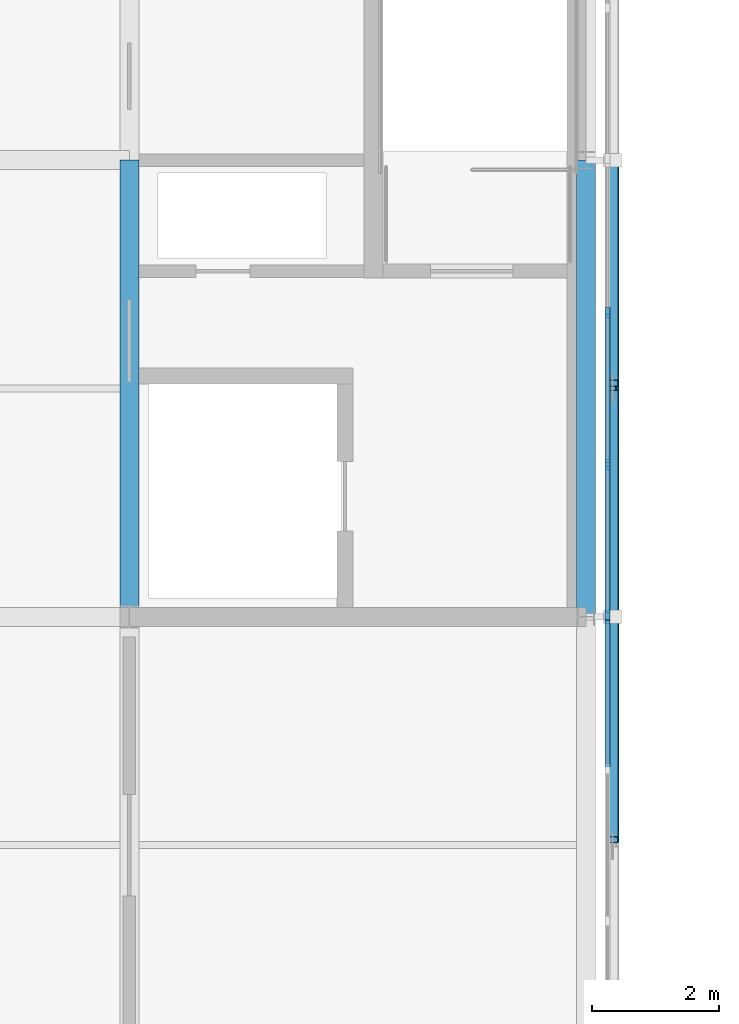
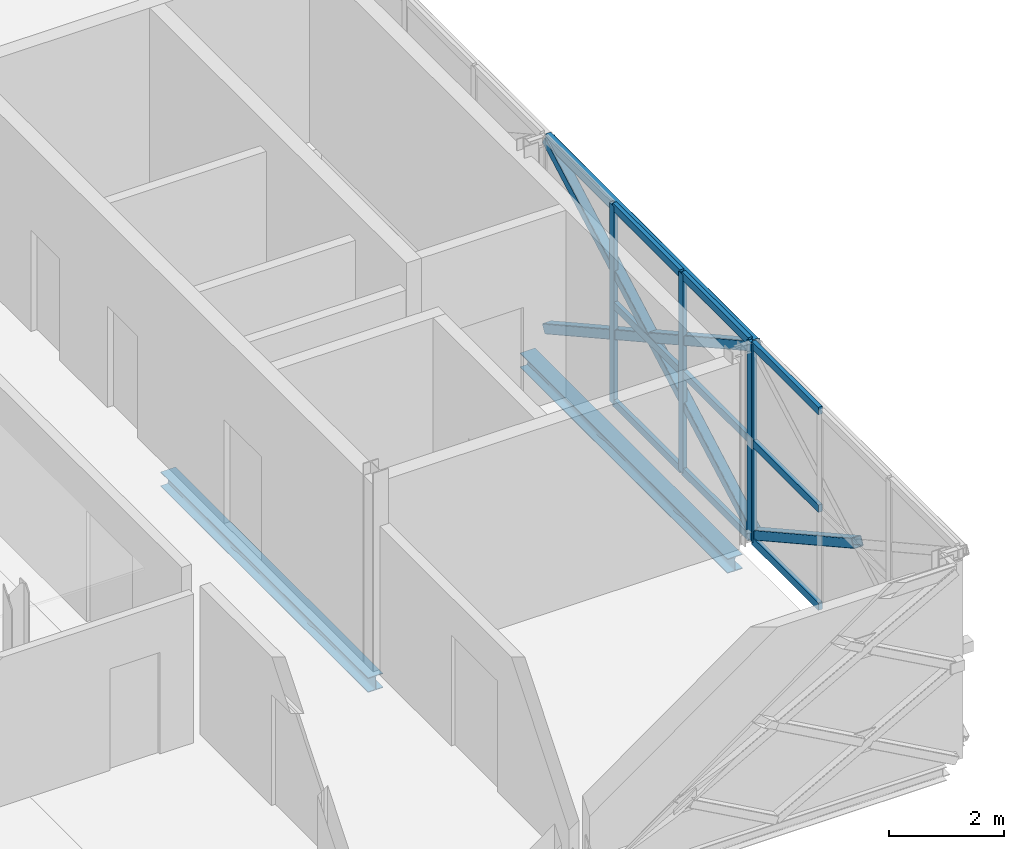
# One storey, part 35 of 103: 18 members, 2 beams, 2 elements without a shape of their own.
"""IFC4 building model written with IfcOpenShell, lengths in metres."""

from ifc_helpers import new_model, si_unit, direction, frame, origin, origin_2d, place, context, subcontext, project, spatial, rectangle, hollow_rectangle, i_section, extrude, material, material_profile, profile_set, type_object, element, aggregate, save


model = new_model("IFC4")

# Units and contexts
model_context = context("Model", 3, precision=1e-05, world=origin(), true_north=direction((0.0, 1.0)))
body_context = subcontext(model_context, "Body", "Model", "MODEL_VIEW")
ifc_project = project(units=[si_unit("LENGTHUNIT", "METRE"), si_unit("AREAUNIT", "SQUARE_METRE"), si_unit("VOLUMEUNIT", "CUBIC_METRE"), si_unit("PLANEANGLEUNIT", "RADIAN"), si_unit("MASSUNIT", "GRAM", prefix="KILO")], contexts=[model_context])

# Site, building, storey
site_placement = place(None, origin())
site = spatial("IfcSite", under=ifc_project, at=site_placement, CompositionType="ELEMENT")
building_placement = place(site_placement, origin())
building = spatial("IfcBuilding", under=site, at=building_placement, Name="Zlatovets Crest Museum", CompositionType="ELEMENT")
storey_placement = place(building_placement, frame((0.0, 0.0, 12.89990234375)))
storey = spatial("IfcBuildingStorey", under=building, at=storey_placement, Name="L03", CompositionType="ELEMENT", Elevation=12.89990234375)

# Beams
ifc_material_1 = material(Name="Structural steel S355J2", Category="steel")
ifc_material_profile_1 = material_profile(ifc_material_1, i_section(OverallWidth=0.300048828125, OverallDepth=0.31005859375, WebThickness=0.009033203125, FlangeThickness=0.015380859375, FilletRadius=0.027099609375, at=origin_2d()), Name="HEA 320")
ifc_profile_set_1 = profile_set([ifc_material_profile_1], Name="Structural steel S355J2")
beam_type = type_object("IfcBeamType", Name="Beam_B-04", PredefinedType="BEAM", material=ifc_profile_set_1)
for number, where, z_axis, x_axis, name in (
    (1, (28.800048828125, 57.60009765625, -0.39501953125), (0.0, 1.0, 0.0), (-1.0, 0.0, 0.0), "V4 L03 Grid Beam B-04"),
    (2, (36.0, 57.60009765625, -0.39501953125), (0.0, 1.0, 0.0), (-1.0, 0.0, 0.0), "V4 L03 Grid Beam B-04"),
):
    element("IfcBeam", number, at=place(storey_placement, frame(where, z_axis=z_axis, x_axis=x_axis)), inside=storey, type_object=beam_type, Name=name, PredefinedType="BEAM", context=body_context, shape_type="SweptSolid", body=[
        extrude(i_section(OverallWidth=0.300048828125, OverallDepth=0.31005859375, WebThickness=0.009033203125, FlangeThickness=0.015380859375, FilletRadius=0.027099609375, at=origin_2d()), origin(), (0.0, 0.0, 1.0), 7.199951171875),
    ])

# Curtain wall, member
ifc_material_2 = material(Name="Bronze-anodised aluminium and low-E triple glass", Category="aluminium")
curtain_wall_type_1 = type_object("IfcCurtainWallType", Name="CW_CW-V4-L03-M0", PredefinedType="NOTDEFINED", material=ifc_material_2)
curtain_wall_1_placement = place(storey_placement, origin())
curtain_wall_1 = element("IfcCurtainWall", 3, at=curtain_wall_1_placement, inside=storey, type_object=curtain_wall_type_1, Name="V4 L03 Secession Foyer Clear Curtain Wall", PredefinedType="NOTDEFINED")
ifc_material_3 = material(Name="Bronze-anodised aluminium EN AW-6060", Category="aluminium")
ifc_material_profile_2 = material_profile(ifc_material_3, rectangle(XDim=0.080078125, YDim=0.159912109375, at=origin_2d()), Name="ALU 80x160")
ifc_profile_set_2 = profile_set([ifc_material_profile_2], Name="Bronze-anodised aluminium EN AW-6060")
member_type_1 = type_object("IfcMemberType", Name="CWMull_M1", PredefinedType="MULLION", material=ifc_profile_set_2)
member_1_placement = place(storey_placement, frame((36.340087890625, 57.570068359375, 0.0), z_axis=(0.0, 0.0, 1.0), x_axis=(-1.0, 0.0, 0.0)))
member_1 = element("IfcMember", 4, at=member_1_placement, type_object=member_type_1, Name="CW-V4-L03-M0 mullion 4", PredefinedType="MULLION", context=body_context, shape_type="SweptSolid", body=[
    extrude(rectangle(XDim=0.080078125, YDim=0.159912109375, at=origin_2d()), origin(), (0.0, 0.0, 1.0), 4.2001953125),
])

# Curtain wall, members
curtain_wall_type_2 = type_object("IfcCurtainWallType", Name="CW_CW-V4-L03-M1", PredefinedType="NOTDEFINED", material=ifc_material_2)
curtain_wall_2_placement = place(storey_placement, origin())
curtain_wall_2 = element("IfcCurtainWall", 5, at=curtain_wall_2_placement, inside=storey, type_object=curtain_wall_type_2, Name="V4 L03 Expressed Core Glazed Facade", PredefinedType="NOTDEFINED")
member_2_placement = place(storey_placement, frame((36.340087890625, 57.6298828125, 0.0), z_axis=(0.0, 0.0, 1.0), x_axis=(-1.0, 0.0, 0.0)))
member_2 = element("IfcMember", 6, at=member_2_placement, type_object=member_type_1, Name="CW-V4-L03-M1 mullion 1", PredefinedType="MULLION", context=body_context, shape_type="SweptSolid", body=[
    extrude(rectangle(XDim=0.080078125, YDim=0.159912109375, at=origin_2d()), origin(), (0.0, 0.0, 1.0), 4.2001953125),
])
member_3_placement = place(storey_placement, frame((36.340087890625, 60.0, 0.0), z_axis=(0.0, 0.0, 1.0), x_axis=(-1.0, 0.0, 0.0)))
member_3 = element("IfcMember", 7, at=member_3_placement, type_object=member_type_1, Name="CW-V4-L03-M1 mullion 2", PredefinedType="MULLION", context=body_context, shape_type="SweptSolid", body=[
    extrude(rectangle(XDim=0.080078125, YDim=0.159912109375, at=origin_2d()), origin(), (0.0, 0.0, 1.0), 4.2001953125),
])
member_4_placement = place(storey_placement, frame((36.340087890625, 62.39990234375, 0.0), z_axis=(0.0, 0.0, 1.0), x_axis=(-1.0, 0.0, 0.0)))
member_4 = element("IfcMember", 8, at=member_4_placement, type_object=member_type_1, Name="CW-V4-L03-M1 mullion 3", PredefinedType="MULLION", context=body_context, shape_type="SweptSolid", body=[
    extrude(rectangle(XDim=0.080078125, YDim=0.159912109375, at=origin_2d()), origin(), (0.0, 0.0, 1.0), 4.2001953125),
])

# Member
ifc_material_profile_3 = material_profile(ifc_material_3, rectangle(XDim=0.080078125, YDim=0.159912109375, at=origin_2d()), Name="ALU 80x160")
ifc_profile_set_3 = profile_set([ifc_material_profile_3], Name="Bronze-anodised aluminium EN AW-6060")
member_type_2 = type_object("IfcMemberType", Name="CWTrans_T1", PredefinedType="USERDEFINED", material=ifc_profile_set_3)
member_5_placement = place(storey_placement, frame((36.340087890625, 55.22998046875, 0.030029296875), z_axis=(0.0, 1.0, 0.0), x_axis=(-1.0, 0.0, 0.0)))
member_5 = element("IfcMember", 9, at=member_5_placement, type_object=member_type_2, Name="CW-V4-L03-M0 transom 3.1", ObjectType="TRANSOM", PredefinedType="USERDEFINED", context=body_context, shape_type="SweptSolid", body=[
    extrude(rectangle(XDim=0.080078125, YDim=0.159912109375, at=origin_2d()), origin(), (0.0, 0.0, 1.0), 2.31005859375),
])

member_6_placement = place(storey_placement, frame((36.340087890625, 55.22998046875, 2.10009765625), z_axis=(0.0, 1.0, 0.0), x_axis=(-1.0, 0.0, 0.0)))
member_6 = element("IfcMember", 10, at=member_6_placement, type_object=member_type_2, Name="CW-V4-L03-M0 transom 3.2", ObjectType="TRANSOM", PredefinedType="USERDEFINED", context=body_context, shape_type="SweptSolid", body=[
    extrude(rectangle(XDim=0.080078125, YDim=0.159912109375, at=origin_2d()), origin(), (0.0, 0.0, 1.0), 2.31005859375),
])

member_7_placement = place(storey_placement, frame((36.340087890625, 55.22998046875, 4.170166015625), z_axis=(0.0, 1.0, 0.0), x_axis=(-1.0, 0.0, 0.0)))
member_7 = element("IfcMember", 11, at=member_7_placement, type_object=member_type_2, Name="CW-V4-L03-M0 transom 3.3", ObjectType="TRANSOM", PredefinedType="USERDEFINED", context=body_context, shape_type="SweptSolid", body=[
    extrude(rectangle(XDim=0.080078125, YDim=0.159912109375, at=origin_2d()), origin(), (0.0, 0.0, 1.0), 2.31005859375),
])

aggregate(curtain_wall_1, [member_1, member_5, member_6, member_7])

member_8_placement = place(storey_placement, frame((36.340087890625, 57.659912109375, 0.030029296875), z_axis=(0.0, 1.0, 0.0), x_axis=(-1.0, 0.0, 0.0)))
member_8 = element("IfcMember", 12, at=member_8_placement, type_object=member_type_2, Name="CW-V4-L03-M1 transom 1.1", ObjectType="TRANSOM", PredefinedType="USERDEFINED", context=body_context, shape_type="SweptSolid", body=[
    extrude(rectangle(XDim=0.080078125, YDim=0.159912109375, at=origin_2d()), origin(), (0.0, 0.0, 1.0), 2.31005859375),
])

member_9_placement = place(storey_placement, frame((36.340087890625, 57.659912109375, 2.10009765625), z_axis=(0.0, 1.0, 0.0), x_axis=(-1.0, 0.0, 0.0)))
member_9 = element("IfcMember", 13, at=member_9_placement, type_object=member_type_2, Name="CW-V4-L03-M1 transom 1.2", ObjectType="TRANSOM", PredefinedType="USERDEFINED", context=body_context, shape_type="SweptSolid", body=[
    extrude(rectangle(XDim=0.080078125, YDim=0.159912109375, at=origin_2d()), origin(), (0.0, 0.0, 1.0), 2.31005859375),
])

member_10_placement = place(storey_placement, frame((36.340087890625, 57.659912109375, 4.170166015625), z_axis=(0.0, 1.0, 0.0), x_axis=(-1.0, 0.0, 0.0)))
member_10 = element("IfcMember", 14, at=member_10_placement, type_object=member_type_2, Name="CW-V4-L03-M1 transom 1.3", ObjectType="TRANSOM", PredefinedType="USERDEFINED", context=body_context, shape_type="SweptSolid", body=[
    extrude(rectangle(XDim=0.080078125, YDim=0.159912109375, at=origin_2d()), origin(), (0.0, 0.0, 1.0), 2.31005859375),
])

member_11_placement = place(storey_placement, frame((36.340087890625, 60.030029296875, 0.030029296875), z_axis=(0.0, 1.0, 0.0), x_axis=(-1.0, 0.0, 0.0)))
member_11 = element("IfcMember", 15, at=member_11_placement, type_object=member_type_2, Name="CW-V4-L03-M1 transom 2.1", ObjectType="TRANSOM", PredefinedType="USERDEFINED", context=body_context, shape_type="SweptSolid", body=[
    extrude(rectangle(XDim=0.080078125, YDim=0.159912109375, at=origin_2d()), origin(), (0.0, 0.0, 1.0), 2.340087890625),
])

member_12_placement = place(storey_placement, frame((36.340087890625, 60.030029296875, 2.10009765625), z_axis=(0.0, 1.0, 0.0), x_axis=(-1.0, 0.0, 0.0)))
member_12 = element("IfcMember", 16, at=member_12_placement, type_object=member_type_2, Name="CW-V4-L03-M1 transom 2.2", ObjectType="TRANSOM", PredefinedType="USERDEFINED", context=body_context, shape_type="SweptSolid", body=[
    extrude(rectangle(XDim=0.080078125, YDim=0.159912109375, at=origin_2d()), origin(), (0.0, 0.0, 1.0), 2.340087890625),
])

member_13_placement = place(storey_placement, frame((36.340087890625, 60.030029296875, 4.170166015625), z_axis=(0.0, 1.0, 0.0), x_axis=(-1.0, 0.0, 0.0)))
member_13 = element("IfcMember", 17, at=member_13_placement, type_object=member_type_2, Name="CW-V4-L03-M1 transom 2.3", ObjectType="TRANSOM", PredefinedType="USERDEFINED", context=body_context, shape_type="SweptSolid", body=[
    extrude(rectangle(XDim=0.080078125, YDim=0.159912109375, at=origin_2d()), origin(), (0.0, 0.0, 1.0), 2.340087890625),
])

aggregate(curtain_wall_2, [member_2, member_3, member_4, member_8, member_9, member_10, member_11, member_12, member_13])

# Members
ifc_material_4 = material(Name="Weathering bronze-steel S355J2W", Category="steel")
ifc_material_profile_4 = material_profile(ifc_material_4, hollow_rectangle(XDim=0.199951171875, YDim=0.199951171875, WallThickness=0.012451171875, InnerFilletRadius=0.012451171875, OuterFilletRadius=0.02490234375, at=origin_2d()), Name="SHS 200x200x12.5")
ifc_profile_set_4 = profile_set([ifc_material_profile_4], Name="Weathering bronze-steel S355J2W")
member_type_3 = type_object("IfcMemberType", Name="Lattice_XL-02", PredefinedType="BRACE", material=ifc_profile_set_4)
member_14_placement = place(storey_placement, frame((36.419921875, 54.0830078125, 2.053955078125), z_axis=(0.0, 0.874165862873, -0.485627474703), x_axis=(-1.0, 0.0, 0.0)))
element("IfcMember", 18, at=member_14_placement, inside=storey, type_object=member_type_3, Name="Split Crossing Bronze Lattice Diagonal Lower", PredefinedType="BRACE", context=body_context, shape_type="SweptSolid", body=[
    extrude(hollow_rectangle(XDim=0.199951171875, YDim=0.199951171875, WallThickness=0.012451171875, InnerFilletRadius=0.012451171875, OuterFilletRadius=0.02490234375, at=origin_2d()), origin(), (0.0, 0.0, 1.0), 4.0234375),
])
member_15_placement = place(storey_placement, frame((36.419921875, 57.60009765625, 0.10009765625), z_axis=(0.0, 0.874155877937, 0.485645447903), x_axis=(-1.0, 0.0, 0.0)))
element("IfcMember", 19, at=member_15_placement, inside=storey, type_object=member_type_3, Name="Continuous Bronze Lattice Diagonal", PredefinedType="BRACE", context=body_context, shape_type="SweptSolid", body=[
    extrude(hollow_rectangle(XDim=0.199951171875, YDim=0.199951171875, WallThickness=0.012451171875, InnerFilletRadius=0.012451171875, OuterFilletRadius=0.02490234375, at=origin_2d()), origin(), (0.0, 0.0, 1.0), 8.236572265625),
])
member_16_placement = place(storey_placement, frame((36.419921875, 57.60009765625, 4.10009765625), z_axis=(0.0, 0.874151551165, -0.485653235958), x_axis=(-1.0, 0.0, 0.0)))
element("IfcMember", 20, at=member_16_placement, inside=storey, type_object=member_type_3, Name="Split Crossing Bronze Lattice Diagonal Upper", PredefinedType="BRACE", context=body_context, shape_type="SweptSolid", body=[
    extrude(hollow_rectangle(XDim=0.199951171875, YDim=0.199951171875, WallThickness=0.012451171875, InnerFilletRadius=0.012451171875, OuterFilletRadius=0.02490234375, at=origin_2d()), origin(), (0.0, 0.0, 1.0), 4.023193359375),
])
member_17_placement = place(storey_placement, frame((36.419921875, 61.282958984375, 2.053955078125), z_axis=(0.0, 0.874165862873, -0.485627474703), x_axis=(-1.0, 0.0, 0.0)))
element("IfcMember", 21, at=member_17_placement, inside=storey, type_object=member_type_3, Name="Split Crossing Bronze Lattice Diagonal Lower", PredefinedType="BRACE", context=body_context, shape_type="SweptSolid", body=[
    extrude(hollow_rectangle(XDim=0.199951171875, YDim=0.199951171875, WallThickness=0.012451171875, InnerFilletRadius=0.012451171875, OuterFilletRadius=0.02490234375, at=origin_2d()), origin(), (0.0, 0.0, 1.0), 4.0234375),
])
ifc_material_profile_5 = material_profile(ifc_material_4, hollow_rectangle(XDim=0.1201171875, YDim=0.239990234375, WallThickness=0.010009765625, InnerFilletRadius=0.010009765625, OuterFilletRadius=0.02001953125, at=origin_2d()), Name="RHS 120x240x10.0")
ifc_profile_set_5 = profile_set([ifc_material_profile_5], Name="Weathering bronze-steel S355J2W")
member_type_4 = type_object("IfcMemberType", Name="Lattice_XL-04", PredefinedType="CHORD", material=ifc_profile_set_5)
member_18_placement = place(storey_placement, frame((36.419921875, 57.60009765625, 4.10009765625), z_axis=(0.0, 1.0, 0.0), x_axis=(-1.0, 0.0, 0.0)))
element("IfcMember", 22, at=member_18_placement, inside=storey, type_object=member_type_4, Name="Art Nouveau Woven Cage Collector Ring Chord", PredefinedType="CHORD", context=body_context, shape_type="SweptSolid", body=[
    extrude(hollow_rectangle(XDim=0.1201171875, YDim=0.239990234375, WallThickness=0.010009765625, InnerFilletRadius=0.010009765625, OuterFilletRadius=0.02001953125, at=origin_2d()), origin(), (0.0, 0.0, 1.0), 7.199951171875),
])

save(model, "model.ifc")
